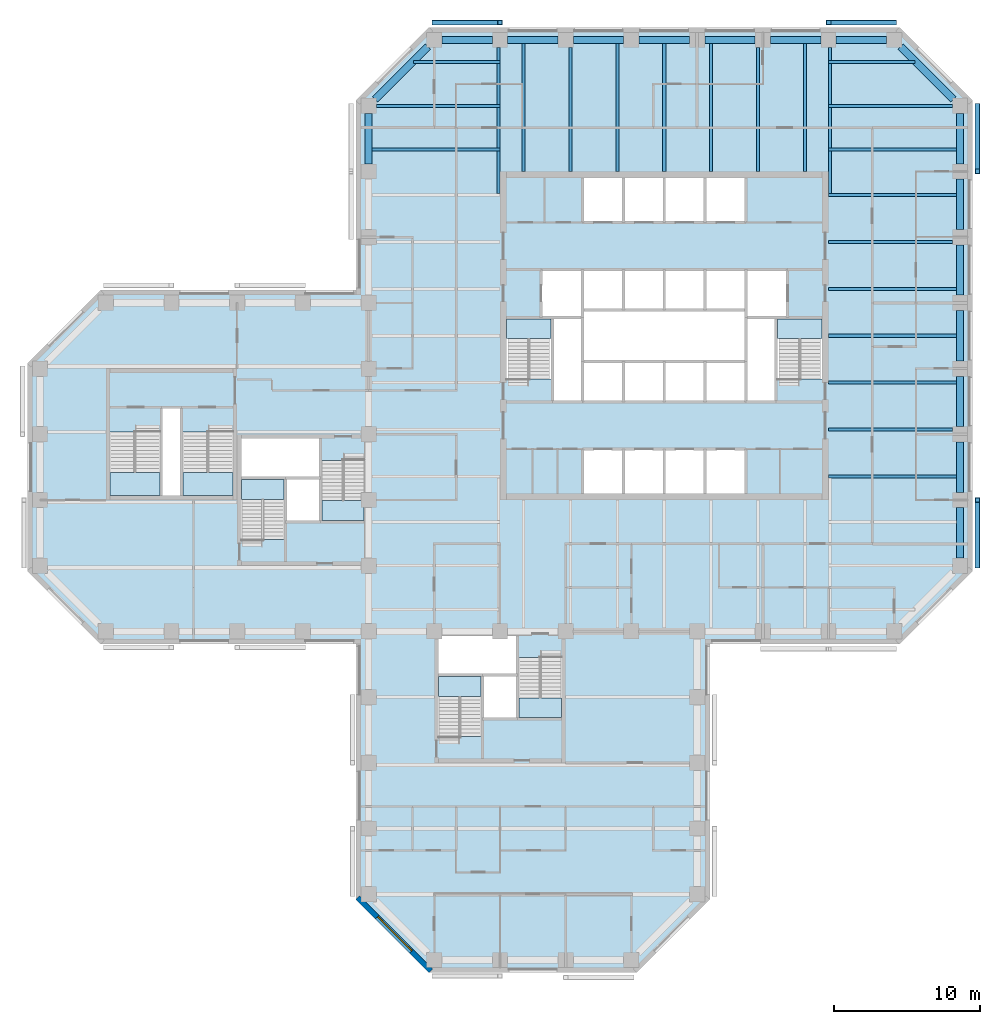
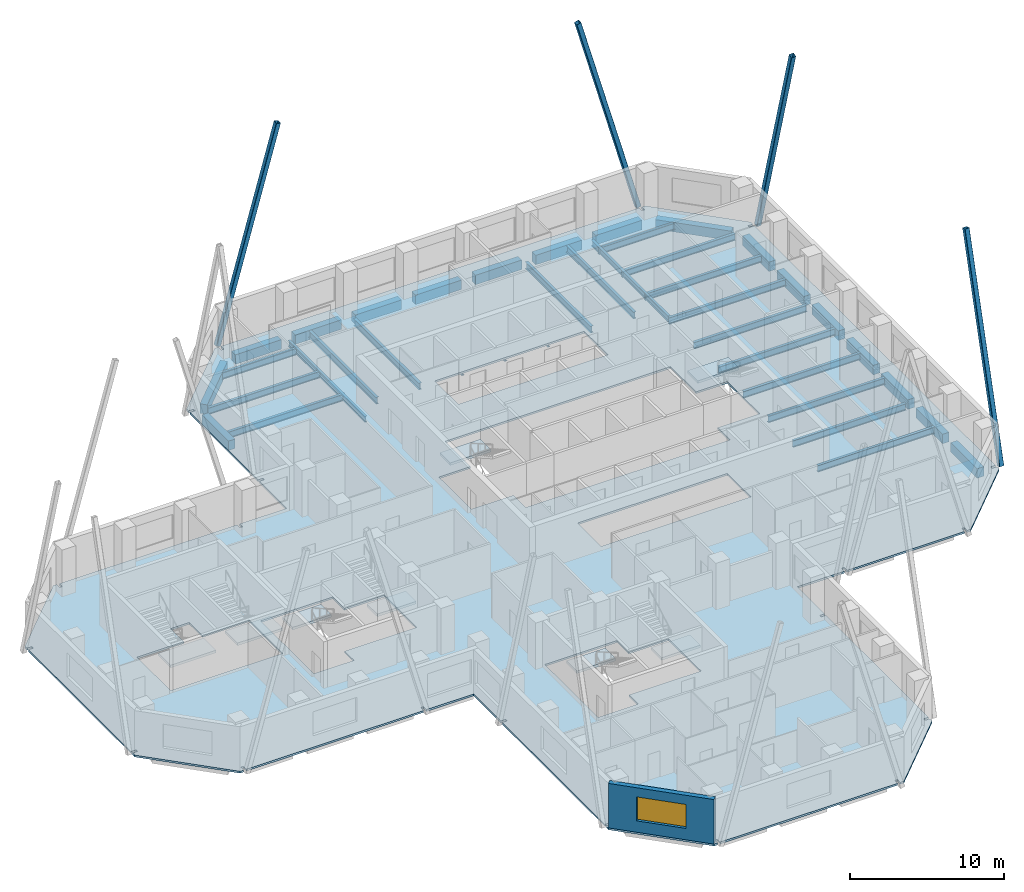
# One storey, part 2 of 11: 39 beams, 9 slabs, 4 members, 1 wall, 1 window, 1 opening, 8 elements without a shape of their own.
"""IFC4 building model written with IfcOpenShell, lengths in metres."""

from ifc_helpers import new_model, si_unit, direction, frame, frame_2d, origin, origin_2d, place, context, subcontext, project, spatial, polyline, rectangle, hollow_rectangle, i_section, outline, extrude, material, layer, layer_set, constituent, constituent_set, material_profile, profile_set, type_object, element, fill, aggregate, save


model = new_model("IFC4")

# Units and contexts
model_context = context("Model", 3, precision=1e-05, world=origin(), true_north=direction((0.0, 1.0)))
body_context = subcontext(model_context, "Body", "Model", "MODEL_VIEW")
ifc_project = project(units=[si_unit("LENGTHUNIT", "METRE"), si_unit("AREAUNIT", "SQUARE_METRE"), si_unit("VOLUMEUNIT", "CUBIC_METRE"), si_unit("PLANEANGLEUNIT", "RADIAN"), si_unit("MASSUNIT", "GRAM", prefix="KILO")], contexts=[model_context])

# Site, building, storey
site_placement = place(None, origin())
site = spatial("IfcSite", under=ifc_project, at=site_placement, CompositionType="ELEMENT")
building_placement = place(site_placement, origin())
building = spatial("IfcBuilding", under=site, at=building_placement, Name="Quoin Convention Tower", CompositionType="ELEMENT")
storey_placement = place(building_placement, frame((0.0, 0.0, 127.0)))
storey = spatial("IfcBuildingStorey", under=building, at=storey_placement, Name="L33", CompositionType="ELEMENT", Elevation=127.0)

# Beams
ifc_material_1 = material(Name="Steel Grade 300", Category="steel")
ifc_material_profile_1 = material_profile(ifc_material_1, i_section(OverallWidth=0.18994140625, OverallDepth=0.4541015625, WebThickness=0.008544921875, FlangeThickness=0.0126953125, FilletRadius=0.011474609375, at=origin_2d()), Name="460UB67.1")
ifc_profile_set_1 = profile_set([ifc_material_profile_1], Name="Steel Grade 300")
beam_type_1 = type_object("IfcBeamType", Name="460UB67.1", PredefinedType="BEAM", material=ifc_profile_set_1)
for number, where, z_axis, x_axis, name in (
    (1, (44.8955078125, 80.47509765625, -0.376953125), (0.0, -1.0, 0.0), (1.0, 0.0, 0.0), "gir-L33-T1NW"),
    (2, (67.6044921875, 80.47509765625, -0.376953125), (0.0, -1.0, 0.0), (1.0, 0.0, 0.0), "gir-L33-T1NE"),
):
    element("IfcBeam", number, at=place(storey_placement, frame(where, z_axis=z_axis, x_axis=x_axis)), inside=storey, type_object=beam_type_1, Name=name, PredefinedType="BEAM", context=body_context, shape_type="SweptSolid", body=[
        extrude(i_section(OverallWidth=0.18994140625, OverallDepth=0.4541015625, WebThickness=0.008544921875, FlangeThickness=0.0126953125, FilletRadius=0.011474609375, at=origin_2d()), origin(), (0.0, 0.0, 1.0), 9.977783203125),
    ])
ifc_material_profile_2 = material_profile(ifc_material_1, i_section(OverallWidth=0.208984375, OverallDepth=0.528076171875, WebThickness=0.009521484375, FlangeThickness=0.01318359375, FilletRadius=0.013916015625, at=origin_2d()), Name="530UB82.0")
ifc_profile_set_2 = profile_set([ifc_material_profile_2], Name="Steel Grade 300")
beam_type_2 = type_object("IfcBeamType", Name="530UB82.0", PredefinedType="BEAM", material=ifc_profile_set_2)
beam_1_placement = place(storey_placement, frame((67.5, 51.107177734375, -0.4140625), z_axis=(1.0, 0.0, 0.0), x_axis=(0.0, 1.0, 0.0)))
element("IfcBeam", 3, at=beam_1_placement, inside=storey, type_object=beam_type_2, Name="bm-L33-T1E0", PredefinedType="BEAM", context=body_context, shape_type="SweptSolid", body=[
    extrude(i_section(OverallWidth=0.208984375, OverallDepth=0.528076171875, WebThickness=0.009521484375, FlangeThickness=0.01318359375, FilletRadius=0.013916015625, at=origin_2d()), origin(), (0.0, 0.0, 1.0), 8.75),
])
beam_2_placement = place(storey_placement, frame((67.5, 54.3212890625, -0.4140625), z_axis=(1.0, 0.0, 0.0), x_axis=(0.0, 1.0, 0.0)))
element("IfcBeam", 4, at=beam_2_placement, inside=storey, type_object=beam_type_2, Name="bm-L33-T1E1", PredefinedType="BEAM", context=body_context, shape_type="SweptSolid", body=[
    extrude(i_section(OverallWidth=0.208984375, OverallDepth=0.528076171875, WebThickness=0.009521484375, FlangeThickness=0.01318359375, FilletRadius=0.013916015625, at=origin_2d()), origin(), (0.0, 0.0, 1.0), 8.47509765625),
])
for number, where, z_axis, x_axis, name in (
    (5, (67.5, 57.53564453125, -0.4140625), (1.0, 0.0, 0.0), (0.0, 1.0, 0.0), "bm-L33-T1E2"),
    (6, (67.5, 60.75, -0.4140625), (1.0, 0.0, 0.0), (0.0, 1.0, 0.0), "bm-L33-T1E3"),
    (7, (67.5, 63.96435546875, -0.4140625), (1.0, 0.0, 0.0), (0.0, 1.0, 0.0), "bm-L33-T1E4"),
):
    element("IfcBeam", number, at=place(storey_placement, frame(where, z_axis=z_axis, x_axis=x_axis)), inside=storey, type_object=beam_type_2, Name=name, PredefinedType="BEAM", context=body_context, shape_type="SweptSolid", body=[
        extrude(i_section(OverallWidth=0.208984375, OverallDepth=0.528076171875, WebThickness=0.009521484375, FlangeThickness=0.01318359375, FilletRadius=0.013916015625, at=origin_2d()), origin(), (0.0, 0.0, 1.0), 8.75),
    ])
beam_3_placement = place(storey_placement, frame((67.5, 67.1787109375, -0.4140625), z_axis=(1.0, 0.0, 0.0), x_axis=(0.0, 1.0, 0.0)))
element("IfcBeam", 8, at=beam_3_placement, inside=storey, type_object=beam_type_2, Name="bm-L33-T1E5", PredefinedType="BEAM", context=body_context, shape_type="SweptSolid", body=[
    extrude(i_section(OverallWidth=0.208984375, OverallDepth=0.528076171875, WebThickness=0.009521484375, FlangeThickness=0.01318359375, FilletRadius=0.013916015625, at=origin_2d()), origin(), (0.0, 0.0, 1.0), 8.47509765625),
])
for number, where, z_axis, x_axis, name in (
    (9, (67.5, 70.392822265625, -0.4140625), (1.0, 0.0, 0.0), (0.0, 1.0, 0.0), "bm-L33-T1E6"),
    (10, (46.607177734375, 72.0, -0.4140625), (0.0, 1.0, 0.0), (-1.0, 0.0, 0.0), "bm-L33-T1N0"),
):
    element("IfcBeam", number, at=place(storey_placement, frame(where, z_axis=z_axis, x_axis=x_axis)), inside=storey, type_object=beam_type_2, Name=name, PredefinedType="BEAM", context=body_context, shape_type="SweptSolid", body=[
        extrude(i_section(OverallWidth=0.208984375, OverallDepth=0.528076171875, WebThickness=0.009521484375, FlangeThickness=0.01318359375, FilletRadius=0.013916015625, at=origin_2d()), origin(), (0.0, 0.0, 1.0), 8.75),
    ])
beam_4_placement = place(storey_placement, frame((49.8212890625, 72.0, -0.4140625), z_axis=(0.0, 1.0, 0.0), x_axis=(-1.0, 0.0, 0.0)))
element("IfcBeam", 11, at=beam_4_placement, inside=storey, type_object=beam_type_2, Name="bm-L33-T1N1", PredefinedType="BEAM", context=body_context, shape_type="SweptSolid", body=[
    extrude(i_section(OverallWidth=0.208984375, OverallDepth=0.528076171875, WebThickness=0.009521484375, FlangeThickness=0.01318359375, FilletRadius=0.013916015625, at=origin_2d()), origin(), (0.0, 0.0, 1.0), 8.47509765625),
])
for number, where, z_axis, x_axis, name in (
    (12, (53.03564453125, 72.0, -0.4140625), (0.0, 1.0, 0.0), (-1.0, 0.0, 0.0), "bm-L33-T1N2"),
    (13, (56.25, 72.0, -0.4140625), (0.0, 1.0, 0.0), (-1.0, 0.0, 0.0), "bm-L33-T1N3"),
    (14, (59.46435546875, 72.0, -0.4140625), (0.0, 1.0, 0.0), (-1.0, 0.0, 0.0), "bm-L33-T1N4"),
):
    element("IfcBeam", number, at=place(storey_placement, frame(where, z_axis=z_axis, x_axis=x_axis)), inside=storey, type_object=beam_type_2, Name=name, PredefinedType="BEAM", context=body_context, shape_type="SweptSolid", body=[
        extrude(i_section(OverallWidth=0.208984375, OverallDepth=0.528076171875, WebThickness=0.009521484375, FlangeThickness=0.01318359375, FilletRadius=0.013916015625, at=origin_2d()), origin(), (0.0, 0.0, 1.0), 8.75),
    ])
beam_5_placement = place(storey_placement, frame((62.6787109375, 72.0, -0.4140625), z_axis=(0.0, 1.0, 0.0), x_axis=(-1.0, 0.0, 0.0)))
element("IfcBeam", 15, at=beam_5_placement, inside=storey, type_object=beam_type_2, Name="bm-L33-T1N5", PredefinedType="BEAM", context=body_context, shape_type="SweptSolid", body=[
    extrude(i_section(OverallWidth=0.208984375, OverallDepth=0.528076171875, WebThickness=0.009521484375, FlangeThickness=0.01318359375, FilletRadius=0.013916015625, at=origin_2d()), origin(), (0.0, 0.0, 1.0), 8.47509765625),
])
beam_6_placement = place(storey_placement, frame((65.892822265625, 72.0, -0.4140625), z_axis=(0.0, 1.0, 0.0), x_axis=(-1.0, 0.0, 0.0)))
element("IfcBeam", 16, at=beam_6_placement, inside=storey, type_object=beam_type_2, Name="bm-L33-T1N6", PredefinedType="BEAM", context=body_context, shape_type="SweptSolid", body=[
    extrude(i_section(OverallWidth=0.208984375, OverallDepth=0.528076171875, WebThickness=0.009521484375, FlangeThickness=0.01318359375, FilletRadius=0.013916015625, at=origin_2d()), origin(), (0.0, 0.0, 1.0), 8.75),
])
beam_7_placement = place(storey_placement, frame((39.072265625, 79.5, -0.4140625), z_axis=(1.0, 0.0, 0.0), x_axis=(0.0, 1.0, 0.0)))
element("IfcBeam", 17, at=beam_7_placement, inside=storey, type_object=beam_type_2, Name="bm-L33-T1NW0", PredefinedType="BEAM", context=body_context, shape_type="SweptSolid", body=[
    extrude(i_section(OverallWidth=0.208984375, OverallDepth=0.528076171875, WebThickness=0.009521484375, FlangeThickness=0.01318359375, FilletRadius=0.013916015625, at=origin_2d()), origin(), (0.0, 0.0, 1.0), 5.927734375),
])
beam_8_placement = place(storey_placement, frame((36.52490234375, 76.5, -0.4140625), z_axis=(1.0, 0.0, 0.0), x_axis=(0.0, 1.0, 0.0)))
element("IfcBeam", 18, at=beam_8_placement, inside=storey, type_object=beam_type_2, Name="bm-L33-T1NW1", PredefinedType="BEAM", context=body_context, shape_type="SweptSolid", body=[
    extrude(i_section(OverallWidth=0.208984375, OverallDepth=0.528076171875, WebThickness=0.009521484375, FlangeThickness=0.01318359375, FilletRadius=0.013916015625, at=origin_2d()), origin(), (0.0, 0.0, 1.0), 8.47509765625),
])
beam_9_placement = place(storey_placement, frame((36.25, 73.5, -0.4140625), z_axis=(1.0, 0.0, 0.0), x_axis=(0.0, 1.0, 0.0)))
element("IfcBeam", 19, at=beam_9_placement, inside=storey, type_object=beam_type_2, Name="bm-L33-T1NW2", PredefinedType="BEAM", context=body_context, shape_type="SweptSolid", body=[
    extrude(i_section(OverallWidth=0.208984375, OverallDepth=0.528076171875, WebThickness=0.009521484375, FlangeThickness=0.01318359375, FilletRadius=0.013916015625, at=origin_2d()), origin(), (0.0, 0.0, 1.0), 8.75),
])
beam_10_placement = place(storey_placement, frame((67.5, 79.5, -0.4140625), z_axis=(1.0, 0.0, 0.0), x_axis=(0.0, 1.0, 0.0)))
element("IfcBeam", 20, at=beam_10_placement, inside=storey, type_object=beam_type_2, Name="bm-L33-T1NE0", PredefinedType="BEAM", context=body_context, shape_type="SweptSolid", body=[
    extrude(i_section(OverallWidth=0.208984375, OverallDepth=0.528076171875, WebThickness=0.009521484375, FlangeThickness=0.01318359375, FilletRadius=0.013916015625, at=origin_2d()), origin(), (0.0, 0.0, 1.0), 5.927734375),
])
beam_11_placement = place(storey_placement, frame((67.5, 76.5, -0.4140625), z_axis=(1.0, 0.0, 0.0), x_axis=(0.0, 1.0, 0.0)))
element("IfcBeam", 21, at=beam_11_placement, inside=storey, type_object=beam_type_2, Name="bm-L33-T1NE1", PredefinedType="BEAM", context=body_context, shape_type="SweptSolid", body=[
    extrude(i_section(OverallWidth=0.208984375, OverallDepth=0.528076171875, WebThickness=0.009521484375, FlangeThickness=0.01318359375, FilletRadius=0.013916015625, at=origin_2d()), origin(), (0.0, 0.0, 1.0), 8.47509765625),
])
beam_12_placement = place(storey_placement, frame((67.5, 73.5, -0.4140625), z_axis=(1.0, 0.0, 0.0), x_axis=(0.0, 1.0, 0.0)))
element("IfcBeam", 22, at=beam_12_placement, inside=storey, type_object=beam_type_2, Name="bm-L33-T1NE2", PredefinedType="BEAM", context=body_context, shape_type="SweptSolid", body=[
    extrude(i_section(OverallWidth=0.208984375, OverallDepth=0.528076171875, WebThickness=0.009521484375, FlangeThickness=0.01318359375, FilletRadius=0.013916015625, at=origin_2d()), origin(), (0.0, 0.0, 1.0), 8.75),
])

# Members
ifc_material_2 = material(Name="Steel C450L0", Category="steel")
ifc_material_profile_3 = material_profile(ifc_material_2, hollow_rectangle(XDim=0.35009765625, YDim=0.35009765625, WallThickness=0.01611328125, InnerFilletRadius=0.02392578125, OuterFilletRadius=0.0400390625, at=origin_2d()), Name="350x350x16.0SHS")
ifc_profile_set_3 = profile_set([ifc_material_profile_3], Name="Steel C450L0")
member_type = type_object("IfcMemberType", Name="Exposed brace 350x350x16.0SHS", PredefinedType="BRACE", material=ifc_profile_set_3)
for number, where, z_axis, x_axis, name in (
    (23, (72.0, 82.199951171875, -0.074951171875), (-0.269188406431, 0.0, 0.963087535919), (0.0, -1.0, 0.0), "brc-L33-72000_81000-67500_81000"),
    (24, (40.5, 82.199951171875, -0.074951171875), (0.269188406431, 0.0, 0.963087535919), (0.0, 1.0, 0.0), "brc-L33-45000_81000-40500_81000"),
    (25, (77.699951171875, 45.0, -0.074951171875), (0.0, 0.269188406431, 0.963087535919), (-1.0, 0.0, 0.0), "brc-L33-76500_45000-76500_49500"),
    (26, (77.699951171875, 76.5, -0.074951171875), (0.0, -0.269188406431, 0.963087535919), (1.0, 0.0, 0.0), "brc-L33-76500_72000-76500_76500"),
):
    element("IfcMember", number, at=place(storey_placement, frame(where, z_axis=z_axis, x_axis=x_axis)), inside=storey, type_object=member_type, Name=name, PredefinedType="BRACE", context=body_context, shape_type="SweptSolid", body=[
        extrude(hollow_rectangle(XDim=0.35009765625, YDim=0.35009765625, WallThickness=0.01611328125, InnerFilletRadius=0.02392578125, OuterFilletRadius=0.0400390625, at=origin_2d()), origin(), (0.0, 0.0, 1.0), 16.716796875),
    ])

# Beams
ifc_material_3 = material(Name="Concrete C65", Category="concrete")
ifc_material_profile_4 = material_profile(ifc_material_3, rectangle(XDim=0.5, YDim=0.75, at=origin_2d()), Name="RC 500x750")
ifc_profile_set_4 = profile_set([ifc_material_profile_4], Name="Concrete C65")
beam_type_3 = type_object("IfcBeamType", Name="RC 500x750 C65", PredefinedType="SPANDREL", material=ifc_profile_set_4)
for number, where, z_axis, x_axis, name in (
    (27, (76.5, 45.52490234375, -0.52490234375), (0.0, 1.0, 0.0), (-1.0, 0.0, 0.0), "spd-L33-76500_45000-76500_49500"),
    (28, (76.5, 50.02490234375, -0.52490234375), (0.0, 1.0, 0.0), (-1.0, 0.0, 0.0), "spd-L33-76500_49500-76500_54000"),
    (29, (76.5, 54.52490234375, -0.52490234375), (0.0, 1.0, 0.0), (-1.0, 0.0, 0.0), "spd-L33-76500_54000-76500_58500"),
    (30, (76.5, 59.02490234375, -0.52490234375), (0.0, 1.0, 0.0), (-1.0, 0.0, 0.0), "spd-L33-76500_58500-76500_63000"),
    (31, (76.5, 63.52490234375, -0.52490234375), (0.0, 1.0, 0.0), (-1.0, 0.0, 0.0), "spd-L33-76500_63000-76500_67500"),
    (32, (76.5, 68.02490234375, -0.52490234375), (0.0, 1.0, 0.0), (-1.0, 0.0, 0.0), "spd-L33-76500_67500-76500_72000"),
    (33, (76.5, 72.52490234375, -0.52490234375), (0.0, 1.0, 0.0), (-1.0, 0.0, 0.0), "spd-L33-76500_72000-76500_76500"),
):
    element("IfcBeam", number, at=place(storey_placement, frame(where, z_axis=z_axis, x_axis=x_axis)), inside=storey, type_object=beam_type_3, Name=name, PredefinedType="SPANDREL", context=body_context, shape_type="SweptSolid", body=[
        extrude(rectangle(XDim=0.5, YDim=0.75, at=origin_2d()), origin(), (0.0, 0.0, 1.0), 3.4501953125),
    ])
beam_13_placement = place(storey_placement, frame((76.059814453125, 76.940185546875, -0.52490234375), z_axis=(-0.707106781187, 0.707106781187, 0.0), x_axis=(-0.707106781187, -0.707106781187, 0.0)))
element("IfcBeam", 34, at=beam_13_placement, inside=storey, type_object=beam_type_3, Name="spd-L33-76500_76500-72000_81000", PredefinedType="SPANDREL", context=body_context, shape_type="SweptSolid", body=[
    extrude(rectangle(XDim=0.5, YDim=0.75, at=origin_2d()), origin(), (0.0, 0.0, 1.0), 5.118896484375),
])
for number, where, z_axis, x_axis, name in (
    (35, (71.47509765625, 81.0, -0.52490234375), (-1.0, 0.0, 0.0), (0.0, -1.0, 0.0), "spd-L33-72000_81000-67500_81000"),
    (36, (66.97509765625, 81.0, -0.52490234375), (-1.0, 0.0, 0.0), (0.0, -1.0, 0.0), "spd-L33-67500_81000-63000_81000"),
    (37, (62.47509765625, 81.0, -0.52490234375), (-1.0, 0.0, 0.0), (0.0, -1.0, 0.0), "spd-L33-63000_81000-58500_81000"),
    (38, (57.97509765625, 81.0, -0.52490234375), (-1.0, 0.0, 0.0), (0.0, -1.0, 0.0), "spd-L33-58500_81000-54000_81000"),
    (39, (53.47509765625, 81.0, -0.52490234375), (-1.0, 0.0, 0.0), (0.0, -1.0, 0.0), "spd-L33-54000_81000-49500_81000"),
    (40, (48.97509765625, 81.0, -0.52490234375), (-1.0, 0.0, 0.0), (0.0, -1.0, 0.0), "spd-L33-49500_81000-45000_81000"),
    (41, (44.47509765625, 81.0, -0.52490234375), (-1.0, 0.0, 0.0), (0.0, -1.0, 0.0), "spd-L33-45000_81000-40500_81000"),
):
    element("IfcBeam", number, at=place(storey_placement, frame(where, z_axis=z_axis, x_axis=x_axis)), inside=storey, type_object=beam_type_3, Name=name, PredefinedType="SPANDREL", context=body_context, shape_type="SweptSolid", body=[
        extrude(rectangle(XDim=0.5, YDim=0.75, at=origin_2d()), origin(), (0.0, 0.0, 1.0), 3.4501953125),
    ])
beam_14_placement = place(storey_placement, frame((40.059814453125, 80.559814453125, -0.52490234375), z_axis=(-0.707106781187, -0.707106781187, 0.0), x_axis=(0.707106781187, -0.707106781187, 0.0)))
element("IfcBeam", 42, at=beam_14_placement, inside=storey, type_object=beam_type_3, Name="spd-L33-40500_81000-36000_76500", PredefinedType="SPANDREL", context=body_context, shape_type="SweptSolid", body=[
    extrude(rectangle(XDim=0.5, YDim=0.75, at=origin_2d()), origin(), (0.0, 0.0, 1.0), 5.118896484375),
])
beam_15_placement = place(storey_placement, frame((36.0, 75.97509765625, -0.52490234375), z_axis=(0.0, -1.0, 0.0), x_axis=(1.0, 0.0, 0.0)))
element("IfcBeam", 43, at=beam_15_placement, inside=storey, type_object=beam_type_3, Name="spd-L33-36000_76500-36000_72000", PredefinedType="SPANDREL", context=body_context, shape_type="SweptSolid", body=[
    extrude(rectangle(XDim=0.5, YDim=0.75, at=origin_2d()), origin(), (0.0, 0.0, 1.0), 3.4501953125),
])

# Slab
ifc_material_4 = material(Name="Concrete C40", Category="concrete")
ifc_layer_1 = layer(ifc_material_4, 0.14990234375)
ifc_layer_set_1 = layer_set([ifc_layer_1], Name="Concrete C40")
slab_type_1 = type_object("IfcSlabType", Name="COMPOSITE SLAB 150 C40", PredefinedType="FLOOR", material=ifc_layer_set_1)
slab_1_placement = place(storey_placement, frame((0.0, 0.0, -0.14990234375)))
element("IfcSlab", 44, at=slab_1_placement, inside=storey, type_object=slab_type_1, Name="slb-L33", PredefinedType="FLOOR", context=body_context, shape_type="SweptSolid", body=[
    extrude(outline(polyline([(54.3623046875, 17.125), (54.094970703125, 17.125), (54.094970703125, 17.4951171875), (53.905029296875, 17.4951171875), (53.905029296875, 17.125), (40.594970703125, 17.125), (40.594970703125, 17.4951171875), (40.405029296875, 17.4951171875), (40.405029296875, 17.125), (40.1376953125, 17.125), (35.125, 22.1376953125), (35.125, 22.405029296875), (35.4951171875, 22.405029296875), (35.4951171875, 22.594970703125), (35.125, 22.594970703125), (35.125, 35.905029296875), (35.4951171875, 35.905029296875), (35.4951171875, 36.094970703125), (35.125, 36.094970703125), (35.125, 39.625), (31.594970703125, 39.625), (31.594970703125, 39.9951171875), (31.405029296875, 39.9951171875), (31.405029296875, 39.625), (18.094970703125, 39.625), (18.094970703125, 39.9951171875), (17.905029296875, 39.9951171875), (17.905029296875, 39.625), (17.6376953125, 39.625), (12.625, 44.6376953125), (12.625, 44.905029296875), (12.9951171875, 44.905029296875), (12.9951171875, 45.094970703125), (12.625, 45.094970703125), (12.625, 58.405029296875), (12.9951171875, 58.405029296875), (12.9951171875, 58.594970703125), (12.625, 58.594970703125), (12.625, 58.8623046875), (17.6376953125, 63.875), (17.905029296875, 63.875), (17.905029296875, 63.5048828125), (18.094970703125, 63.5048828125), (18.094970703125, 63.875), (31.405029296875, 63.875), (31.405029296875, 63.5048828125), (31.594970703125, 63.5048828125), (31.594970703125, 63.875), (35.125, 63.875), (35.125, 67.405029296875), (35.4951171875, 67.405029296875), (35.4951171875, 67.594970703125), (35.125, 67.594970703125), (35.125, 76.405029296875), (35.4951171875, 76.405029296875), (35.4951171875, 76.594970703125), (35.125, 76.594970703125), (35.125, 76.8623046875), (40.1376953125, 81.875), (40.405029296875, 81.875), (40.405029296875, 81.5048828125), (40.594970703125, 81.5048828125), (40.594970703125, 81.875), (71.905029296875, 81.875), (71.905029296875, 81.5048828125), (72.094970703125, 81.5048828125), (72.094970703125, 81.875), (72.3623046875, 81.875), (77.375, 76.8623046875), (77.375, 76.594970703125), (77.0048828125, 76.594970703125), (77.0048828125, 76.405029296875), (77.375, 76.405029296875), (77.375, 45.094970703125), (77.0048828125, 45.094970703125), (77.0048828125, 44.905029296875), (77.375, 44.905029296875), (77.375, 44.6376953125), (72.3623046875, 39.625), (72.094970703125, 39.625), (72.094970703125, 39.9951171875), (71.905029296875, 39.9951171875), (71.905029296875, 39.625), (63.094970703125, 39.625), (63.094970703125, 39.9951171875), (62.905029296875, 39.9951171875), (62.905029296875, 39.625), (59.375, 39.625), (59.375, 36.094970703125), (59.0048828125, 36.094970703125), (59.0048828125, 35.905029296875), (59.375, 35.905029296875), (59.375, 22.594970703125), (59.0048828125, 22.594970703125), (59.0048828125, 22.405029296875), (59.375, 22.405029296875), (59.375, 22.1376953125), (54.3623046875, 17.125)]), holes=[polyline([(40.800048828125, 37.5), (40.800048828125, 33.300537109375), (43.800048828125, 33.300537109375), (43.800048828125, 34.5), (46.199951171875, 34.5), (49.199951171875, 34.5), (49.199951171875, 38.699462890625), (46.199951171875, 38.699462890625), (46.199951171875, 40.199951171875), (40.800048828125, 40.199951171875), (40.800048828125, 37.5)]), polyline([(32.699951171875, 52.199462890625), (32.699951171875, 53.699951171875), (27.300048828125, 53.699951171875), (27.300048828125, 51.0), (27.300048828125, 46.800537109375), (30.300048828125, 46.800537109375), (30.300048828125, 48.0), (32.699951171875, 48.0), (35.699951171875, 48.0), (35.699951171875, 52.199462890625), (32.699951171875, 52.199462890625)]), polyline([(56.25, 49.949951171875), (59.050048828125, 49.949951171875), (61.85009765625, 49.949951171875), (61.85009765625, 53.0), (59.050048828125, 53.0), (56.25, 53.0), (53.449951171875, 53.0), (50.64990234375, 53.0), (50.64990234375, 49.949951171875), (53.449951171875, 49.949951171875), (56.25, 49.949951171875)]), polyline([(21.800048828125, 54.1494140625), (18.300048828125, 54.1494140625), (18.300048828125, 49.800048828125), (21.800048828125, 49.800048828125), (23.199951171875, 49.800048828125), (26.699951171875, 49.800048828125), (26.699951171875, 54.1494140625), (23.199951171875, 54.1494140625), (23.199951171875, 55.85009765625), (21.800048828125, 55.85009765625), (21.800048828125, 54.1494140625)]), polyline([(48.60009765625, 56.199951171875), (50.64990234375, 56.199951171875), (53.449951171875, 56.199951171875), (56.25, 56.199951171875), (59.050048828125, 56.199951171875), (61.85009765625, 56.199951171875), (63.89990234375, 56.199951171875), (63.89990234375, 57.800537109375), (67.050048828125, 57.800537109375), (67.050048828125, 62.0), (64.699951171875, 62.0), (64.699951171875, 65.300048828125), (61.85009765625, 65.300048828125), (59.050048828125, 65.300048828125), (56.25, 65.300048828125), (53.449951171875, 65.300048828125), (50.64990234375, 65.300048828125), (47.800048828125, 65.300048828125), (47.800048828125, 62.0), (45.449951171875, 62.0), (45.449951171875, 57.800537109375), (48.60009765625, 57.800537109375), (48.60009765625, 56.199951171875)]), polyline([(53.449951171875, 68.5), (56.25, 68.5), (59.050048828125, 68.5), (61.85009765625, 68.5), (61.85009765625, 71.550048828125), (59.050048828125, 71.550048828125), (56.25, 71.550048828125), (53.449951171875, 71.550048828125), (50.64990234375, 71.550048828125), (50.64990234375, 68.5), (53.449951171875, 68.5)])]), origin(), (0.0, 0.0, 1.0), 0.14990234375),
])

# Stair, slab
stair_type_1 = type_object("IfcStairType", Name="Exit stair two-flight 1350", PredefinedType="HALF_TURN_STAIR", material=ifc_material_4)
stair_1_placement = place(storey_placement, origin())
stair_1 = element("IfcStair", 45, at=stair_1_placement, inside=storey, type_object=stair_type_1, Name="SD1 L33", PredefinedType="HALF_TURN_STAIR")
ifc_layer_2 = layer(ifc_material_4, 0.199951171875)
ifc_layer_set_2 = layer_set([ifc_layer_2], Name="Concrete C40")
slab_type_2 = type_object("IfcSlabType", Name="Stair landing 200", PredefinedType="LANDING", material=ifc_layer_set_2)
slab_2_placement = place(storey_placement, frame((0.0, 0.0, 1.792236328125)))
slab_2 = element("IfcSlab", 46, at=slab_2_placement, type_object=slab_type_2, Name="ST1 landing 1", PredefinedType="LANDING", context=body_context, shape_type="SweptSolid", body=[
    extrude(outline(polyline([(45.449951171875, 60.550048828125), (48.5, 60.550048828125), (48.5, 61.89990234375), (45.449951171875, 61.89990234375), (45.449951171875, 60.550048828125)])), origin(), (0.0, 0.0, 1.0), 0.199951171875),
])
aggregate(stair_1, [slab_2])

stair_2_placement = place(storey_placement, origin())
stair_2 = element("IfcStair", 47, at=stair_2_placement, inside=storey, type_object=stair_type_1, Name="SD2 L33", PredefinedType="HALF_TURN_STAIR")
slab_3_placement = place(storey_placement, frame((0.0, 0.0, 1.792236328125)))
slab_3 = element("IfcSlab", 48, at=slab_3_placement, type_object=slab_type_2, Name="ST2 landing 1", PredefinedType="LANDING", context=body_context, shape_type="SweptSolid", body=[
    extrude(outline(polyline([(64.0, 60.550048828125), (67.050048828125, 60.550048828125), (67.050048828125, 61.89990234375), (64.0, 61.89990234375), (64.0, 60.550048828125)])), origin(), (0.0, 0.0, 1.0), 0.199951171875),
])
aggregate(stair_2, [slab_3])

stair_3_placement = place(storey_placement, origin())
stair_3 = element("IfcStair", 49, at=stair_3_placement, inside=storey, type_object=stair_type_1, Name="SD3 L33", PredefinedType="HALF_TURN_STAIR")
slab_4_placement = place(storey_placement, frame((0.0, 0.0, 1.792236328125)))
slab_4 = element("IfcSlab", 50, at=slab_4_placement, type_object=slab_type_2, Name="ST3 landing 1", PredefinedType="LANDING", context=body_context, shape_type="SweptSolid", body=[
    extrude(outline(polyline([(27.300048828125, 49.550048828125), (30.199951171875, 49.550048828125), (30.199951171875, 50.89990234375), (27.300048828125, 50.89990234375), (27.300048828125, 49.550048828125)])), origin(), (0.0, 0.0, 1.0), 0.199951171875),
])
aggregate(stair_3, [slab_4])

stair_4_placement = place(storey_placement, origin())
stair_4 = element("IfcStair", 51, at=stair_4_placement, inside=storey, type_object=stair_type_1, Name="SD4 L33", PredefinedType="HALF_TURN_STAIR")
slab_5_placement = place(storey_placement, frame((0.0, 0.0, 1.792236328125)))
slab_5 = element("IfcSlab", 52, at=slab_5_placement, type_object=slab_type_2, Name="ST4 landing 1", PredefinedType="LANDING", context=body_context, shape_type="SweptSolid", body=[
    extrude(outline(polyline([(35.699951171875, 49.449951171875), (32.800048828125, 49.449951171875), (32.800048828125, 48.10009765625), (35.699951171875, 48.10009765625), (35.699951171875, 49.449951171875)])), origin(), (0.0, 0.0, 1.0), 0.199951171875),
])
aggregate(stair_4, [slab_5])

stair_5_placement = place(storey_placement, origin())
stair_5 = element("IfcStair", 53, at=stair_5_placement, inside=storey, type_object=stair_type_1, Name="SD5 L33", PredefinedType="HALF_TURN_STAIR")
slab_6_placement = place(storey_placement, frame((0.0, 0.0, 1.792236328125)))
slab_6 = element("IfcSlab", 54, at=slab_6_placement, type_object=slab_type_2, Name="ST5 landing 1", PredefinedType="LANDING", context=body_context, shape_type="SweptSolid", body=[
    extrude(outline(polyline([(40.800048828125, 36.050048828125), (43.699951171875, 36.050048828125), (43.699951171875, 37.39990234375), (40.800048828125, 37.39990234375), (40.800048828125, 36.050048828125)])), origin(), (0.0, 0.0, 1.0), 0.199951171875),
])
aggregate(stair_5, [slab_6])

stair_6_placement = place(storey_placement, origin())
stair_6 = element("IfcStair", 55, at=stair_6_placement, inside=storey, type_object=stair_type_1, Name="SD6 L33", PredefinedType="HALF_TURN_STAIR")
slab_7_placement = place(storey_placement, frame((0.0, 0.0, 1.792236328125)))
slab_7 = element("IfcSlab", 56, at=slab_7_placement, type_object=slab_type_2, Name="ST6 landing 1", PredefinedType="LANDING", context=body_context, shape_type="SweptSolid", body=[
    extrude(outline(polyline([(49.199951171875, 35.949951171875), (46.300048828125, 35.949951171875), (46.300048828125, 34.60009765625), (49.199951171875, 34.60009765625), (49.199951171875, 35.949951171875)])), origin(), (0.0, 0.0, 1.0), 0.199951171875),
])
aggregate(stair_6, [slab_7])

stair_type_2 = type_object("IfcStairType", Name="Exit stair two-flight 1600", PredefinedType="HALF_TURN_STAIR", material=ifc_material_4)
stair_7_placement = place(storey_placement, origin())
stair_7 = element("IfcStair", 57, at=stair_7_placement, inside=storey, type_object=stair_type_2, Name="SD11 L33", PredefinedType="HALF_TURN_STAIR")
slab_8_placement = place(storey_placement, frame((0.0, 0.0, 1.792236328125)))
slab_8 = element("IfcSlab", 58, at=slab_8_placement, type_object=slab_type_2, Name="ST11 landing 1", PredefinedType="LANDING", context=body_context, shape_type="SweptSolid", body=[
    extrude(outline(polyline([(21.699951171875, 51.39990234375), (18.300048828125, 51.39990234375), (18.300048828125, 49.800048828125), (21.699951171875, 49.800048828125), (21.699951171875, 51.39990234375)])), origin(), (0.0, 0.0, 1.0), 0.199951171875),
])
aggregate(stair_7, [slab_8])

stair_8_placement = place(storey_placement, origin())
stair_8 = element("IfcStair", 59, at=stair_8_placement, inside=storey, type_object=stair_type_2, Name="SD12 L33", PredefinedType="HALF_TURN_STAIR")
slab_9_placement = place(storey_placement, frame((0.0, 0.0, 1.792236328125)))
slab_9 = element("IfcSlab", 60, at=slab_9_placement, type_object=slab_type_2, Name="ST12 landing 1", PredefinedType="LANDING", context=body_context, shape_type="SweptSolid", body=[
    extrude(outline(polyline([(26.699951171875, 51.39990234375), (23.300048828125, 51.39990234375), (23.300048828125, 49.800048828125), (26.699951171875, 49.800048828125), (26.699951171875, 51.39990234375)])), origin(), (0.0, 0.0, 1.0), 0.199951171875),
])
aggregate(stair_8, [slab_9])

# Wall, opening, window
ifc_material_5 = material(Name="Brick masonry", Category="masonry")
ifc_layer_3 = layer(ifc_material_5, 0.35009765625)
ifc_layer_set_3 = layer_set([ifc_layer_3], Name="Brick masonry")
wall_type = type_object("IfcWallType", Name="Brick facade wall", PredefinedType="STANDARD", material=ifc_layer_set_3)
wall_placement = place(storey_placement, frame((35.248779296875, 22.26123046875, 0.0), z_axis=(0.0, 0.0, 1.0), x_axis=(0.707106781187, -0.707106781187, 0.0)))
wall = element("IfcWall", 61, at=wall_placement, inside=storey, type_object=wall_type, Name="fw-L33-36000_22500", PredefinedType="STANDARD", context=body_context, shape_type="SweptSolid", body=[
    extrude(rectangle(XDim=7.088623046875, YDim=0.35009765625, at=frame_2d((3.54443359375, 0.0))), origin(), (0.0, 0.0, 1.0), 3.52490234375),
])
opening_placement = place(wall_placement, frame((1.894287109375, 0.0, 0.89990234375)))
opening = element("IfcOpeningElement", 62, at=opening_placement, cuts=wall, Name="Opening W-02", PredefinedType="OPENING", context=body_context, shape_type="SweptSolid", body=[
    extrude(rectangle(XDim=3.300048828125, YDim=1.89990234375, at=frame_2d((1.64990234375, 0.949951171875))), frame((0.0, 0.18505859375, 0.0), z_axis=(0.0, -1.0, 0.0), x_axis=(1.0, 0.0, 0.0)), (0.0, 0.0, 1.0), 0.3701171875),
])
ifc_material_6 = material(Name="Aluminium", Category="aluminium")
ifc_constituent_1 = constituent(ifc_material_6, Name="Frame")
ifc_material_7 = material(Name="Insulated glass", Category="glass")
ifc_constituent_2 = constituent(ifc_material_7, Name="Glazing")
ifc_constituent_set = constituent_set(constituents=[ifc_constituent_1, ifc_constituent_2], Name="Aluminium")
window_type = type_object("IfcWindowType", Name="Office window", PartitioningType="DOUBLE_PANEL_VERTICAL", PredefinedType="WINDOW", material=ifc_constituent_set)
window_placement = place(opening_placement, origin())
window = element("IfcWindow", 63, at=window_placement, inside=storey, type_object=window_type, Name="win-L33-37755_19755", OverallHeight=1.89990234375, OverallWidth=3.300048828125, PartitioningType="SINGLE_PANEL", PredefinedType="WINDOW", context=body_context, shape_type="SweptSolid", body=[
    extrude(rectangle(XDim=3.300048828125, YDim=1.89990234375, at=frame_2d((1.64990234375, 0.949951171875))), frame((0.0, 0.0849609375, 0.0), z_axis=(0.0, -1.0, 0.0), x_axis=(1.0, 0.0, 0.0)), (0.0, 0.0, 1.0), 0.06005859375),
])
fill(opening, window)

save(model, "model.ifc")
